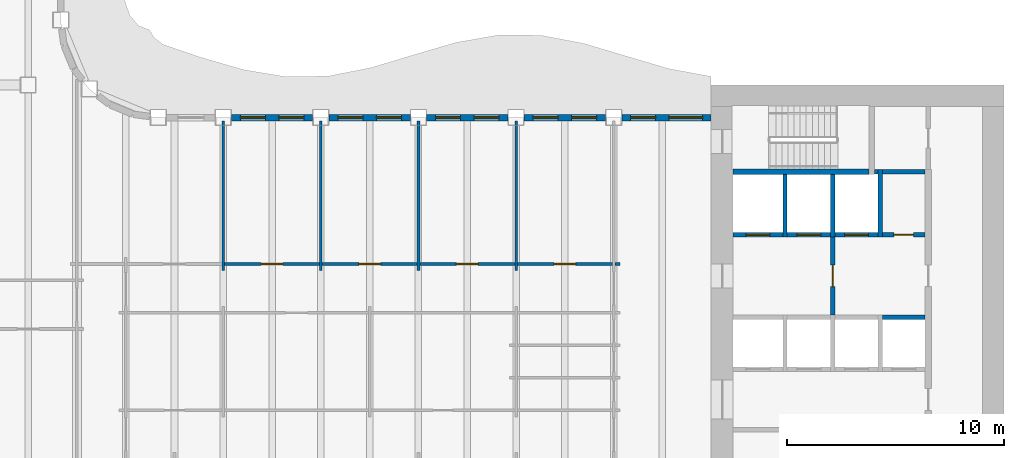
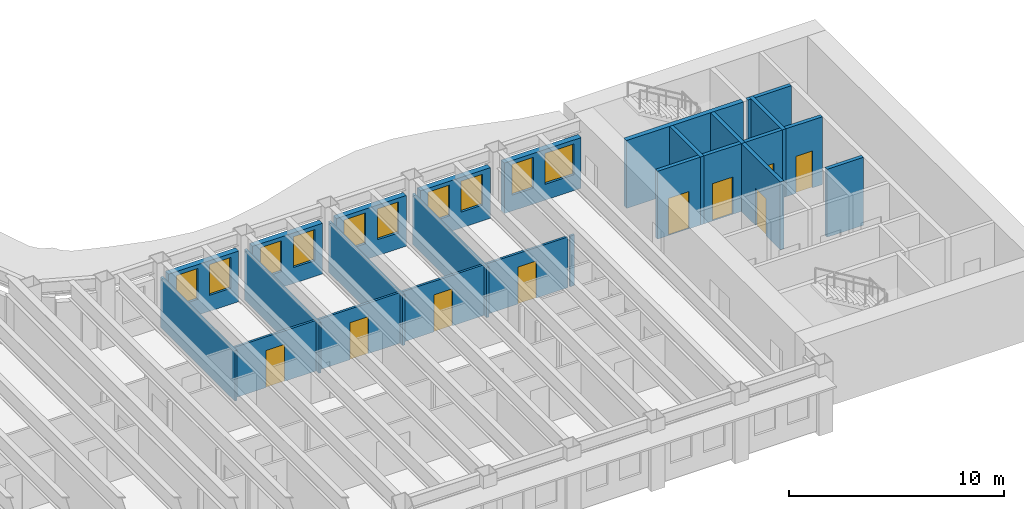
# One storey, part 7 of 16: 26 walls, 10 windows, 9 doors, 19 openings.
"""IFC4 building model written with IfcOpenShell, lengths in metres."""

import ifcopenshell
import ifcopenshell.guid

model = None  # the IFC model being written
_history = None  # IfcOwnerHistory: only IFC2X3 demands one
_inside = {}  # id of a spatial element -> (the spatial element, [elements in it])
_under = {}  # id of a project, library or spatial element -> (it, [spatial elements below it])
_declared = {}  # id of a project -> (the project, [libraries it declares])
_typed = {}  # id of a type object -> (the type object, [elements of that type])
_made_of = {}  # id of a material, layer set ... -> (it, [elements and type objects made of it])


def new_model(schema):
    """Start an empty IFC model of exactly this schema.

    Asked for "IFC4X3", IfcOpenShell would pick the latest addendum, in which some entities
    have other attributes; the version numbers below select the first issue.
    IFC2X3 requires an IfcOwnerHistory on every rooted entity: one is made here for all.
    """
    global model, _history
    if schema == "IFC4X3":
        model = ifcopenshell.file(schema_version=(4, 3, 0, 0))
    else:
        model = ifcopenshell.file(schema=schema)
    _inside.clear()
    _under.clear()
    _declared.clear()
    _typed.clear()
    _made_of.clear()
    _history = None
    if model.schema == "IFC2X3":
        org = make("IfcOrganization", Name="unknown")
        user = make(
            "IfcPersonAndOrganization",
            ThePerson=make("IfcPerson", FamilyName="unknown"),
            TheOrganization=org,
        )
        app = make(
            "IfcApplication",
            ApplicationDeveloper=org,
            Version="unknown",
            ApplicationFullName="unknown",
            ApplicationIdentifier="unknown",
        )
        _history = make(
            "IfcOwnerHistory",
            OwningUser=user,
            OwningApplication=app,
            ChangeAction="ADDED",
            CreationDate=0,
        )
    return model


def make(cls, **values):
    """One entity of the class cls with the attributes given. An attribute that is None is left unset."""
    return model.create_entity(
        cls, **{name: value for name, value in values.items() if value is not None}
    )


def rooted(cls, **values):
    """An entity with a GlobalId (a new one), such as an element, a storey or a relation."""
    return make(cls, GlobalId=ifcopenshell.guid.new(), OwnerHistory=_history, **values)


def si_unit(unit_type, name, prefix=None):
    """IfcSIUnit, for example si_unit("LENGTHUNIT", "METRE", prefix="MILLI")."""
    return make("IfcSIUnit", UnitType=unit_type, Prefix=prefix, Name=name)


def assignment(units):
    """IfcUnitAssignment: the units of a project."""
    return None if units is None else make("IfcUnitAssignment", Units=units)


def point(xyz):
    """IfcCartesianPoint."""
    return None if xyz is None else make("IfcCartesianPoint", Coordinates=xyz)


def direction(xyz):
    """IfcDirection."""
    return None if xyz is None else make("IfcDirection", DirectionRatios=xyz)


def frame(location, z_axis=None, x_axis=None):
    """IfcAxis2Placement3D, a coordinate frame: its origin and axes. An axis left out is left unset."""
    return make(
        "IfcAxis2Placement3D",
        Location=point(location),
        Axis=direction(z_axis),
        RefDirection=direction(x_axis),
    )


def frame_2d(location, x_axis=None):
    """IfcAxis2Placement2D, a coordinate frame in the plane: its origin and x axis."""
    return make(
        "IfcAxis2Placement2D", Location=point(location), RefDirection=direction(x_axis)
    )


def origin():
    """The frame at (0, 0, 0) with its axes left unset."""
    return frame((0.0, 0.0, 0.0))


def place(relative_to, where):
    """IfcLocalPlacement: puts the frame where relative to a parent placement (None: the world)."""
    return make(
        "IfcLocalPlacement", PlacementRelTo=relative_to, RelativePlacement=where
    )


def context(
    kind, dimensions, precision=None, world=None, true_north=None, identifier=None
):
    """IfcGeometricRepresentationContext, for example the 3D "Model" context."""
    return make(
        "IfcGeometricRepresentationContext",
        ContextIdentifier=identifier,
        ContextType=kind,
        CoordinateSpaceDimension=dimensions,
        Precision=precision,
        WorldCoordinateSystem=world,
        TrueNorth=true_north,
    )


def subcontext(parent, identifier, kind, view, scale=None):
    """IfcGeometricRepresentationSubContext, for example "Body" below "Model"."""
    return make(
        "IfcGeometricRepresentationSubContext",
        ContextIdentifier=identifier,
        ContextType=kind,
        ParentContext=parent,
        TargetScale=scale,
        TargetView=view,
    )


def project(units=None, contexts=None):
    """IfcProject with its units and contexts."""
    return rooted(
        "IfcProject",
        Name="project",
        RepresentationContexts=contexts,
        UnitsInContext=assignment(units),
    )


def spatial(cls, under=None, at=None, **own):
    """A site, building, storey or space (cls), placed at a placement, below another one or the project."""
    s = rooted(cls, ObjectPlacement=at, **own)
    if under is not None:
        _under.setdefault(under.id(), (under, []))[1].append(s)
    return s


def profile(cls, at=None, kind="AREA", **sizes):
    """A parametric profile (cls). Its sizes go by their IFC names, for example OverallWidth=200.0."""
    return make(cls, ProfileType=kind, Position=at, **sizes)


def rectangle(**sizes):
    """IfcRectangleProfileDef."""
    return profile("IfcRectangleProfileDef", **sizes)


def extrude(swept, where, along, depth):
    """IfcExtrudedAreaSolid: the profile swept, set in the frame where, extruded along a direction by depth."""
    return make(
        "IfcExtrudedAreaSolid",
        SweptArea=swept,
        Position=where,
        ExtrudedDirection=direction(along),
        Depth=depth,
    )


def shape(context_of_items, identifier, shape_type, items):
    """IfcShapeRepresentation: the items that make up one representation, for example the "Body"."""
    return make(
        "IfcShapeRepresentation",
        ContextOfItems=context_of_items,
        RepresentationIdentifier=identifier,
        RepresentationType=shape_type,
        Items=items,
    )


def material(Name=None, Category=None):
    """IfcMaterial."""
    return make("IfcMaterial", Name=Name, Category=Category)


def layer(
    of_material, thickness, ventilated=None, Name=None, Category=None, Priority=None
):
    """IfcMaterialLayer: one layer of a wall or slab, of a material (None: an air gap)."""
    return make(
        "IfcMaterialLayer",
        Material=of_material,
        LayerThickness=thickness,
        IsVentilated=ventilated,
        Name=Name,
        Category=Category,
        Priority=Priority,
    )


def layer_set(layers, Name=None):
    """IfcMaterialLayerSet."""
    return make("IfcMaterialLayerSet", MaterialLayers=layers, LayerSetName=Name)


def made_of(thing, what):
    """Note that an element or type object is made of a material, layer set ...; save() writes the relation."""
    if what is not None:
        _made_of.setdefault(what.id(), (what, []))[1].append(thing)
    return thing


def type_object(cls, material=None, **own):
    """A type object (cls), such as IfcWallType, which elements share."""
    return made_of(rooted(cls, **own), material)


def element(
    cls,
    number,
    at=None,
    inside=None,
    cuts=None,
    type_object=None,
    material=None,
    context=None,
    identifier="Body",
    shape_type=None,
    held_by="IfcProductDefinitionShape",
    body=None,
    shapes=None,
    **own,
):
    """One element of the class cls, such as IfcWall. Its Tag is "e" and its number.

    at: its placement. inside: the storey or other place that contains it. cuts: it is an
    opening in that element (IfcRelVoidsElement). A single representation is given by context,
    identifier, shape_type and body (its items); several are given by shapes. held_by: the class
    of the entity that holds the representations. save() writes the other relations.
    """
    e = rooted(cls, Tag="e%d" % number, ObjectPlacement=at, **own)
    if body is not None:
        shapes = [shape(context, identifier, shape_type, body)]
    if shapes is not None:
        e.Representation = make(held_by, Representations=shapes)
    if inside is not None:
        _inside.setdefault(inside.id(), (inside, []))[1].append(e)
    if cuts is not None:
        rooted(
            "IfcRelVoidsElement", RelatingBuildingElement=cuts, RelatedOpeningElement=e
        )
    if type_object is not None:
        _typed.setdefault(type_object.id(), (type_object, []))[1].append(e)
    return made_of(e, material)


def fill(opening, filler):
    """IfcRelFillsElement: the door or window that sits in an opening."""
    return rooted(
        "IfcRelFillsElement",
        RelatingOpeningElement=opening,
        RelatedBuildingElement=filler,
    )


def aggregate(whole, parts):
    """IfcRelAggregates: a whole, such as a stair, and the parts it consists of."""
    return rooted("IfcRelAggregates", RelatingObject=whole, RelatedObjects=parts)


def save(model, path):
    """Write the relations noted so far, then the file.

    IfcRelAggregates (storeys below a building ...), IfcRelContainedInSpatialStructure (elements
    in a storey), IfcRelDefinesByType, IfcRelAssociatesMaterial and IfcRelDeclares: one each for
    every whole, place, type object, material and project.
    """
    for whole, parts in _under.values():
        aggregate(whole, parts)
    for where, things in _inside.values():
        rooted(
            "IfcRelContainedInSpatialStructure",
            RelatedElements=things,
            RelatingStructure=where,
        )
    for kind, things in _typed.values():
        rooted("IfcRelDefinesByType", RelatedObjects=things, RelatingType=kind)
    for what, things in _made_of.values():
        rooted("IfcRelAssociatesMaterial", RelatedObjects=things, RelatingMaterial=what)
    for by, libraries in _declared.values():
        rooted("IfcRelDeclares", RelatingContext=by, RelatedDefinitions=libraries)
    model.write(path)


model = new_model("IFC4")

# Units and contexts
model_context = context("Model", 3, precision=1e-05, world=origin(), true_north=direction((0.0, 1.0)))
body_context = subcontext(model_context, "Body", "Model", "MODEL_VIEW")
ifc_project = project(units=[si_unit("LENGTHUNIT", "METRE"), si_unit("AREAUNIT", "SQUARE_METRE"), si_unit("VOLUMEUNIT", "CUBIC_METRE"), si_unit("PLANEANGLEUNIT", "RADIAN"), si_unit("MASSUNIT", "GRAM", prefix="KILO")], contexts=[model_context])

# Site, building, storey
site_placement = place(None, origin())
site = spatial("IfcSite", under=ifc_project, at=site_placement, CompositionType="ELEMENT")
building_placement = place(site_placement, origin())
building = spatial("IfcBuilding", under=site, at=building_placement, Name="Sennacour Bend Tower", CompositionType="ELEMENT")
storey_placement = place(building_placement, frame((0.0, 0.0, 235.0)))
storey = spatial("IfcBuildingStorey", under=building, at=storey_placement, Name="L54", CompositionType="ELEMENT", Elevation=235.0)

# Walls
ifc_material_1 = material(Name="Plasterboard partition on steel studs", Category="steel")
ifc_layer_1 = layer(ifc_material_1, 0.1201171875, Name="Plasterboard partition on steel studs", Category="steel")
ifc_layer_set_1 = layer_set([ifc_layer_1], Name="Plasterboard partition on steel studs")
wall_type_1 = type_object("IfcWallType", Name="Partition 120", PredefinedType="PARTITIONING", material=ifc_layer_set_1)
for number, where, z_axis, x_axis, name in (
    (1, (31.5, 13.949951171875, 0.0), (0.0, 0.0, 1.0), (0.0, 1.0, 0.0), "P-L54-W027a"),
    (2, (36.0, 13.949951171875, 0.0), (0.0, 0.0, 1.0), (0.0, 1.0, 0.0), "P-L54-W028a"),
    (3, (40.5, 13.949951171875, 0.0), (0.0, 0.0, 1.0), (0.0, 1.0, 0.0), "P-L54-W031a"),
    (4, (45.0, 13.949951171875, 0.0), (0.0, 0.0, 1.0), (0.0, 1.0, 0.0), "P-L54-W034a"),
):
    element("IfcWall", number, at=place(storey_placement, frame(where, z_axis=z_axis, x_axis=x_axis)), inside=storey, type_object=wall_type_1, Name=name, PredefinedType="PARTITIONING", context=body_context, shape_type="SweptSolid", body=[
        extrude(rectangle(XDim=6.900146484375, YDim=0.1201171875, at=frame_2d((3.4501953125, 0.0))), origin(), (0.0, 0.0, 1.0), 2.8701171875),
    ])

# Wall, opening, door
wall_1_placement = place(storey_placement, frame((31.56005859375, 14.25, 0.0), z_axis=(0.0, 0.0, 1.0), x_axis=(1.0, 0.0, 0.0)))
wall_1 = element("IfcWall", 5, at=wall_1_placement, inside=storey, type_object=wall_type_1, Name="P-L54-W066ad", PredefinedType="PARTITIONING", context=body_context, shape_type="SweptSolid", body=[
    extrude(rectangle(XDim=4.3798828125, YDim=0.1201171875, at=frame_2d((2.18994140625, 0.0))), origin(), (0.0, 0.0, 1.0), 2.8701171875),
])
opening_1_placement = place(wall_1_placement, frame((1.68994140625, 0.0, 0.0)))
opening_1 = element("IfcOpeningElement", 6, at=opening_1_placement, cuts=wall_1, Name="Opening OD2", PredefinedType="OPENING", context=body_context, shape_type="SweptSolid", body=[
    extrude(rectangle(XDim=1.0, YDim=2.10009765625, at=frame_2d((0.5, 1.050048828125))), frame((0.0, 0.070068359375, 0.0), z_axis=(0.0, -1.0, 0.0), x_axis=(1.0, 0.0, 0.0)), (0.0, 0.0, 1.0), 0.14013671875),
])
ifc_material_2 = material(Name="Timber", Category="wood")
door_type_1 = type_object("IfcDoorType", Name="DR-OFFICE-1000", OperationType="NOTDEFINED", PredefinedType="DOOR", material=ifc_material_2)
door_1_placement = place(opening_1_placement, origin())
door_1 = element("IfcDoor", 7, at=door_1_placement, inside=storey, type_object=door_type_1, Name="Door", OperationType="SINGLE_SWING_LEFT", OverallHeight=2.10009765625, OverallWidth=1.0, PredefinedType="DOOR", context=body_context, shape_type="SweptSolid", body=[
    extrude(rectangle(XDim=1.0, YDim=2.10009765625, at=frame_2d((0.5, 1.050048828125))), frame((0.0, 0.02490234375, 0.0), z_axis=(0.0, -1.0, 0.0), x_axis=(1.0, 0.0, 0.0)), (0.0, 0.0, 1.0), 0.050048828125),
])
fill(opening_1, door_1)

wall_2_placement = place(storey_placement, frame((36.06005859375, 14.25, 0.0), z_axis=(0.0, 0.0, 1.0), x_axis=(1.0, 0.0, 0.0)))
wall_2 = element("IfcWall", 8, at=wall_2_placement, inside=storey, type_object=wall_type_1, Name="P-L54-W066ae", PredefinedType="PARTITIONING", context=body_context, shape_type="SweptSolid", body=[
    extrude(rectangle(XDim=4.3798828125, YDim=0.1201171875, at=frame_2d((2.18994140625, 0.0))), origin(), (0.0, 0.0, 1.0), 2.8701171875),
])
opening_2_placement = place(wall_2_placement, frame((1.68994140625, 0.0, 0.0)))
opening_2 = element("IfcOpeningElement", 9, at=opening_2_placement, cuts=wall_2, Name="Opening MD2", PredefinedType="OPENING", context=body_context, shape_type="SweptSolid", body=[
    extrude(rectangle(XDim=1.0, YDim=2.10009765625, at=frame_2d((0.5, 1.050048828125))), frame((0.0, 0.070068359375, 0.0), z_axis=(0.0, -1.0, 0.0), x_axis=(1.0, 0.0, 0.0)), (0.0, 0.0, 1.0), 0.14013671875),
])
door_type_2 = type_object("IfcDoorType", Name="DR-MEETING-1000", OperationType="NOTDEFINED", PredefinedType="DOOR", material=ifc_material_2)
door_2_placement = place(opening_2_placement, origin())
door_2 = element("IfcDoor", 10, at=door_2_placement, inside=storey, type_object=door_type_2, Name="Door", OperationType="SINGLE_SWING_LEFT", OverallHeight=2.10009765625, OverallWidth=1.0, PredefinedType="DOOR", context=body_context, shape_type="SweptSolid", body=[
    extrude(rectangle(XDim=1.0, YDim=2.10009765625, at=frame_2d((0.5, 1.050048828125))), frame((0.0, 0.02490234375, 0.0), z_axis=(0.0, -1.0, 0.0), x_axis=(1.0, 0.0, 0.0)), (0.0, 0.0, 1.0), 0.050048828125),
])
fill(opening_2, door_2)

wall_3_placement = place(storey_placement, frame((40.56005859375, 14.25, 0.0), z_axis=(0.0, 0.0, 1.0), x_axis=(1.0, 0.0, 0.0)))
wall_3 = element("IfcWall", 11, at=wall_3_placement, inside=storey, type_object=wall_type_1, Name="P-L54-W066af", PredefinedType="PARTITIONING", context=body_context, shape_type="SweptSolid", body=[
    extrude(rectangle(XDim=4.3798828125, YDim=0.1201171875, at=frame_2d((2.18994140625, 0.0))), origin(), (0.0, 0.0, 1.0), 2.8701171875),
])
opening_3_placement = place(wall_3_placement, frame((1.68994140625, 0.0, 0.0)))
opening_3 = element("IfcOpeningElement", 12, at=opening_3_placement, cuts=wall_3, Name="Opening OD2", PredefinedType="OPENING", context=body_context, shape_type="SweptSolid", body=[
    extrude(rectangle(XDim=1.0, YDim=2.10009765625, at=frame_2d((0.5, 1.050048828125))), frame((0.0, 0.070068359375, 0.0), z_axis=(0.0, -1.0, 0.0), x_axis=(1.0, 0.0, 0.0)), (0.0, 0.0, 1.0), 0.14013671875),
])
door_3_placement = place(opening_3_placement, origin())
door_3 = element("IfcDoor", 13, at=door_3_placement, inside=storey, type_object=door_type_1, Name="Door", OperationType="SINGLE_SWING_LEFT", OverallHeight=2.10009765625, OverallWidth=1.0, PredefinedType="DOOR", context=body_context, shape_type="SweptSolid", body=[
    extrude(rectangle(XDim=1.0, YDim=2.10009765625, at=frame_2d((0.5, 1.050048828125))), frame((0.0, 0.02490234375, 0.0), z_axis=(0.0, -1.0, 0.0), x_axis=(1.0, 0.0, 0.0)), (0.0, 0.0, 1.0), 0.050048828125),
])
fill(opening_3, door_3)

wall_4_placement = place(storey_placement, frame((45.06005859375, 14.25, 0.0), z_axis=(0.0, 0.0, 1.0), x_axis=(1.0, 0.0, 0.0)))
wall_4 = element("IfcWall", 14, at=wall_4_placement, inside=storey, type_object=wall_type_1, Name="P-L54-W066ag", PredefinedType="PARTITIONING", context=body_context, shape_type="SweptSolid", body=[
    extrude(rectangle(XDim=4.3798828125, YDim=0.1201171875, at=frame_2d((2.18994140625, 0.0))), origin(), (0.0, 0.0, 1.0), 2.8701171875),
])
opening_4_placement = place(wall_4_placement, frame((1.68994140625, 0.0, 0.0)))
opening_4 = element("IfcOpeningElement", 15, at=opening_4_placement, cuts=wall_4, Name="Opening OD2", PredefinedType="OPENING", context=body_context, shape_type="SweptSolid", body=[
    extrude(rectangle(XDim=1.0, YDim=2.10009765625, at=frame_2d((0.5, 1.050048828125))), frame((0.0, 0.070068359375, 0.0), z_axis=(0.0, -1.0, 0.0), x_axis=(1.0, 0.0, 0.0)), (0.0, 0.0, 1.0), 0.14013671875),
])
door_4_placement = place(opening_4_placement, origin())
door_4 = element("IfcDoor", 16, at=door_4_placement, inside=storey, type_object=door_type_1, Name="Door", OperationType="SINGLE_SWING_LEFT", OverallHeight=2.10009765625, OverallWidth=1.0, PredefinedType="DOOR", context=body_context, shape_type="SweptSolid", body=[
    extrude(rectangle(XDim=1.0, YDim=2.10009765625, at=frame_2d((0.5, 1.050048828125))), frame((0.0, 0.02490234375, 0.0), z_axis=(0.0, -1.0, 0.0), x_axis=(1.0, 0.0, 0.0)), (0.0, 0.0, 1.0), 0.050048828125),
])
fill(opening_4, door_4)

# Wall
wall_5_placement = place(storey_placement, frame((49.56005859375, 14.25, 0.0), z_axis=(0.0, 0.0, 1.0), x_axis=(1.0, 0.0, 0.0)))
element("IfcWall", 17, at=wall_5_placement, inside=storey, type_object=wall_type_1, Name="P-L54-W066ah", PredefinedType="PARTITIONING", context=body_context, shape_type="SweptSolid", body=[
    extrude(rectangle(XDim=0.239990234375, YDim=0.1201171875, at=frame_2d((0.1201171875, 0.0))), origin(), (0.0, 0.0, 1.0), 2.8701171875),
])

# Wall, opening, door
ifc_material_3 = material(Name="Fire-rated plasterboard partition on steel studs", Category="steel")
ifc_layer_2 = layer(ifc_material_3, 0.199951171875, Name="Fire-rated plasterboard partition on steel studs", Category="steel")
ifc_layer_set_2 = layer_set([ifc_layer_2], Name="Fire-rated plasterboard partition on steel studs")
wall_type_2 = type_object("IfcWallType", Name="Rated partition 200", PredefinedType="PARTITIONING", material=ifc_layer_set_2)
wall_6_placement = place(storey_placement, frame((61.89990234375, 15.60009765625, 0.0), z_axis=(0.0, 0.0, 1.0), x_axis=(1.0, 0.0, 0.0)))
wall_6 = element("IfcWall", 18, at=wall_6_placement, inside=storey, type_object=wall_type_2, Name="P-L54-W068", PredefinedType="PARTITIONING", context=body_context, shape_type="SweptSolid", body=[
    extrude(rectangle(XDim=1.9501953125, YDim=0.199951171875, at=frame_2d((0.97509765625, 0.0))), origin(), (0.0, 0.0, 1.0), 3.85009765625),
])
opening_5_placement = place(wall_6_placement, frame((0.525146484375, 0.0, 0.0)))
opening_5 = element("IfcOpeningElement", 19, at=opening_5_placement, cuts=wall_6, Name="Opening SV", PredefinedType="OPENING", context=body_context, shape_type="SweptSolid", body=[
    extrude(rectangle(XDim=0.89990234375, YDim=2.10009765625, at=frame_2d((0.449951171875, 1.050048828125))), frame((0.0, 0.10986328125, 0.0), z_axis=(0.0, -1.0, 0.0), x_axis=(1.0, 0.0, 0.0)), (0.0, 0.0, 1.0), 0.219970703125),
])
ifc_material_4 = material(Name="Painted steel", Category="steel")
door_type_3 = type_object("IfcDoorType", Name="DR-SERVICE-900", OperationType="NOTDEFINED", PredefinedType="DOOR", material=ifc_material_4)
door_5_placement = place(opening_5_placement, origin())
door_5 = element("IfcDoor", 20, at=door_5_placement, inside=storey, type_object=door_type_3, Name="Door", OperationType="SINGLE_SWING_LEFT", OverallHeight=2.10009765625, OverallWidth=0.89990234375, PredefinedType="DOOR", context=body_context, shape_type="SweptSolid", body=[
    extrude(rectangle(XDim=0.89990234375, YDim=2.10009765625, at=frame_2d((0.449951171875, 1.050048828125))), frame((0.0, 0.02490234375, 0.0), z_axis=(0.0, -1.0, 0.0), x_axis=(1.0, 0.0, 0.0)), (0.0, 0.0, 1.0), 0.050048828125),
])
fill(opening_5, door_5)

# Wall
wall_7_placement = place(storey_placement, frame((61.89990234375, 18.5, 0.0), z_axis=(0.0, 0.0, 1.0), x_axis=(1.0, 0.0, 0.0)))
element("IfcWall", 21, at=wall_7_placement, inside=storey, type_object=wall_type_2, Name="P-L54-W071", PredefinedType="PARTITIONING", context=body_context, shape_type="SweptSolid", body=[
    extrude(rectangle(XDim=1.9501953125, YDim=0.199951171875, at=frame_2d((0.97509765625, 0.0))), origin(), (0.0, 0.0, 1.0), 3.85009765625),
])

# Wall, opening, door
ifc_layer_3 = layer(ifc_material_3, 0.199951171875, Name="Fire-rated plasterboard partition on steel studs", Category="steel")
ifc_layer_set_3 = layer_set([ifc_layer_3], Name="Fire-rated plasterboard partition on steel studs")
wall_type_3 = type_object("IfcWallType", Name="Rated partition 200 EI 90", PredefinedType="PARTITIONING", material=ifc_layer_set_3)
wall_8_placement = place(storey_placement, frame((59.60009765625, 11.89990234375, 0.0), z_axis=(0.0, 0.0, 1.0), x_axis=(0.0, 1.0, 0.0)))
wall_8 = element("IfcWall", 22, at=wall_8_placement, inside=storey, type_object=wall_type_3, Name="P-L54-W040", PredefinedType="PARTITIONING", context=body_context, shape_type="SweptSolid", body=[
    extrude(rectangle(XDim=3.60009765625, YDim=0.199951171875, at=frame_2d((1.800048828125, 0.0))), origin(), (0.0, 0.0, 1.0), 3.85009765625),
])
opening_6_placement = place(wall_8_placement, frame((1.300048828125, 0.0, 0.0)))
opening_6 = element("IfcOpeningElement", 23, at=opening_6_placement, cuts=wall_8, Name="Opening FD2", PredefinedType="OPENING", context=body_context, shape_type="SweptSolid", body=[
    extrude(rectangle(XDim=1.0, YDim=2.10009765625, at=frame_2d((0.5, 1.050048828125))), frame((0.0, 0.10986328125, 0.0), z_axis=(0.0, -1.0, 0.0), x_axis=(1.0, 0.0, 0.0)), (0.0, 0.0, 1.0), 0.219970703125),
])
door_type_4 = type_object("IfcDoorType", Name="DR-FFL-1000", OperationType="NOTDEFINED", PredefinedType="DOOR", material=ifc_material_4)
door_6_placement = place(opening_6_placement, origin())
door_6 = element("IfcDoor", 24, at=door_6_placement, inside=storey, type_object=door_type_4, Name="Door", OperationType="SINGLE_SWING_LEFT", OverallHeight=2.10009765625, OverallWidth=1.0, PredefinedType="DOOR", context=body_context, shape_type="SweptSolid", body=[
    extrude(rectangle(XDim=1.0, YDim=2.10009765625, at=frame_2d((0.5, 1.050048828125))), frame((0.0, 0.02490234375, 0.0), z_axis=(0.0, -1.0, 0.0), x_axis=(1.0, 0.0, 0.0)), (0.0, 0.0, 1.0), 0.050048828125),
])
fill(opening_6, door_6)

# Wall, openings, windows
ifc_material_5 = material(Name="Warm limestone cladding", Category="masonry")
ifc_layer_4 = layer(ifc_material_5, 0.050048828125, Name="Warm limestone cladding", Category="masonry")
ifc_material_6 = material(Name="Precast concrete C40/50", Category="concrete")
ifc_layer_5 = layer(ifc_material_6, 0.25, Name="Precast concrete C40/50", Category="concrete")
ifc_layer_set_4 = layer_set([ifc_layer_4, ifc_layer_5], Name="Precast concrete C40/50 with limestone cladding")
wall_type_4 = type_object("IfcWallType", Name="STONE-CLAD PRECAST SPANDREL 300", PredefinedType="STANDARD", material=ifc_layer_set_4)
wall_9_placement = place(storey_placement, frame((54.0, 21.0, 0.0), z_axis=(0.0, 0.0, 1.0), x_axis=(-1.0, 0.0, 0.0)))
wall_9 = element("IfcWall", 25, at=wall_9_placement, inside=storey, type_object=wall_type_4, Name="Stone spandrel and pier wall L54 06.00", PredefinedType="STANDARD", context=body_context, shape_type="SweptSolid", body=[
    extrude(rectangle(XDim=4.125, YDim=0.300048828125, at=frame_2d((2.0625, 0.0))), origin(), (0.0, 0.0, 1.0), 2.8701171875),
])
opening_7_placement = place(wall_9_placement, frame((0.39990234375, 0.0, 0.89990234375)))
opening_7 = element("IfcOpeningElement", 26, at=opening_7_placement, cuts=wall_9, Name="Opening W12", PredefinedType="OPENING", context=body_context, shape_type="SweptSolid", body=[
    extrude(rectangle(XDim=1.550048828125, YDim=1.75, at=frame_2d((0.77490234375, 0.875))), frame((0.0, 0.16015625, 0.0), z_axis=(0.0, -1.0, 0.0), x_axis=(1.0, 0.0, 0.0)), (0.0, 0.0, 1.0), 0.320068359375),
])
opening_8_placement = place(wall_9_placement, frame((2.5625, 0.0, 0.89990234375)))
opening_8 = element("IfcOpeningElement", 27, at=opening_8_placement, cuts=wall_9, Name="Opening W23", PredefinedType="OPENING", context=body_context, shape_type="SweptSolid", body=[
    extrude(rectangle(XDim=1.14990234375, YDim=1.75, at=frame_2d((0.574951171875, 0.875))), frame((0.0, 0.16015625, 0.0), z_axis=(0.0, -1.0, 0.0), x_axis=(1.0, 0.0, 0.0)), (0.0, 0.0, 1.0), 0.320068359375),
])
ifc_material_7 = material(Name="Clear low-emissivity glass", Category="glass")
window_type_1 = type_object("IfcWindowType", Name="WIN-RIBBON-1150x1750", PartitioningType="SINGLE_PANEL", PredefinedType="WINDOW", material=ifc_material_7)
window_1_placement = place(opening_8_placement, origin())
window_1 = element("IfcWindow", 28, at=window_1_placement, inside=storey, type_object=window_type_1, Name="Ribbon window L54 06.00.1", OverallHeight=1.75, OverallWidth=1.14990234375, PartitioningType="SINGLE_PANEL", PredefinedType="WINDOW", context=body_context, shape_type="SweptSolid", body=[
    extrude(rectangle(XDim=1.14990234375, YDim=1.75, at=frame_2d((0.574951171875, 0.875))), frame((0.0, 0.030029296875, 0.0), z_axis=(0.0, -1.0, 0.0), x_axis=(1.0, 0.0, 0.0)), (0.0, 0.0, 1.0), 0.06005859375),
])
fill(opening_8, window_1)
window_type_2 = type_object("IfcWindowType", Name="WIN-RIBBON-1550x1750", PartitioningType="SINGLE_PANEL", PredefinedType="WINDOW", material=ifc_material_7)
window_2_placement = place(opening_7_placement, origin())
window_2 = element("IfcWindow", 29, at=window_2_placement, inside=storey, type_object=window_type_2, Name="Ribbon window L54 06.00.0", OverallHeight=1.75, OverallWidth=1.550048828125, PartitioningType="SINGLE_PANEL", PredefinedType="WINDOW", context=body_context, shape_type="SweptSolid", body=[
    extrude(rectangle(XDim=1.550048828125, YDim=1.75, at=frame_2d((0.77490234375, 0.875))), frame((0.0, 0.030029296875, 0.0), z_axis=(0.0, -1.0, 0.0), x_axis=(1.0, 0.0, 0.0)), (0.0, 0.0, 1.0), 0.06005859375),
])
fill(opening_7, window_2)

wall_10_placement = place(storey_placement, frame((49.125, 21.0, 0.0), z_axis=(0.0, 0.0, 1.0), x_axis=(-1.0, 0.0, 0.0)))
wall_10 = element("IfcWall", 30, at=wall_10_placement, inside=storey, type_object=wall_type_4, Name="Stone spandrel and pier wall L54 06.01", PredefinedType="STANDARD", context=body_context, shape_type="SweptSolid", body=[
    extrude(rectangle(XDim=3.75, YDim=0.300048828125, at=frame_2d((1.875, 0.0))), origin(), (0.0, 0.0, 1.0), 2.8701171875),
])
opening_9_placement = place(wall_10_placement, frame((0.41259765625, 0.0, 0.89990234375)))
opening_9 = element("IfcOpeningElement", 31, at=opening_9_placement, cuts=wall_10, Name="Opening W23", PredefinedType="OPENING", context=body_context, shape_type="SweptSolid", body=[
    extrude(rectangle(XDim=1.14990234375, YDim=1.75, at=frame_2d((0.574951171875, 0.875))), frame((0.0, 0.16015625, 0.0), z_axis=(0.0, -1.0, 0.0), x_axis=(1.0, 0.0, 0.0)), (0.0, 0.0, 1.0), 0.320068359375),
])
opening_10_placement = place(wall_10_placement, frame((2.1875, 0.0, 0.89990234375)))
opening_10 = element("IfcOpeningElement", 32, at=opening_10_placement, cuts=wall_10, Name="Opening W23", PredefinedType="OPENING", context=body_context, shape_type="SweptSolid", body=[
    extrude(rectangle(XDim=1.14990234375, YDim=1.75, at=frame_2d((0.574951171875, 0.875))), frame((0.0, 0.16015625, 0.0), z_axis=(0.0, -1.0, 0.0), x_axis=(1.0, 0.0, 0.0)), (0.0, 0.0, 1.0), 0.320068359375),
])
window_3_placement = place(opening_9_placement, origin())
window_3 = element("IfcWindow", 33, at=window_3_placement, inside=storey, type_object=window_type_1, Name="Ribbon window L54 06.01.0", OverallHeight=1.75, OverallWidth=1.14990234375, PartitioningType="SINGLE_PANEL", PredefinedType="WINDOW", context=body_context, shape_type="SweptSolid", body=[
    extrude(rectangle(XDim=1.14990234375, YDim=1.75, at=frame_2d((0.574951171875, 0.875))), frame((0.0, 0.030029296875, 0.0), z_axis=(0.0, -1.0, 0.0), x_axis=(1.0, 0.0, 0.0)), (0.0, 0.0, 1.0), 0.06005859375),
])
fill(opening_9, window_3)
window_4_placement = place(opening_10_placement, origin())
window_4 = element("IfcWindow", 34, at=window_4_placement, inside=storey, type_object=window_type_1, Name="Ribbon window L54 06.01.1", OverallHeight=1.75, OverallWidth=1.14990234375, PartitioningType="SINGLE_PANEL", PredefinedType="WINDOW", context=body_context, shape_type="SweptSolid", body=[
    extrude(rectangle(XDim=1.14990234375, YDim=1.75, at=frame_2d((0.574951171875, 0.875))), frame((0.0, 0.030029296875, 0.0), z_axis=(0.0, -1.0, 0.0), x_axis=(1.0, 0.0, 0.0)), (0.0, 0.0, 1.0), 0.06005859375),
])
fill(opening_10, window_4)

wall_11_placement = place(storey_placement, frame((44.625, 21.0, 0.0), z_axis=(0.0, 0.0, 1.0), x_axis=(-1.0, 0.0, 0.0)))
wall_11 = element("IfcWall", 35, at=wall_11_placement, inside=storey, type_object=wall_type_4, Name="Stone spandrel and pier wall L54 06.02", PredefinedType="STANDARD", context=body_context, shape_type="SweptSolid", body=[
    extrude(rectangle(XDim=3.75, YDim=0.300048828125, at=frame_2d((1.875, 0.0))), origin(), (0.0, 0.0, 1.0), 2.8701171875),
])
opening_11_placement = place(wall_11_placement, frame((0.41259765625, 0.0, 0.89990234375)))
opening_11 = element("IfcOpeningElement", 36, at=opening_11_placement, cuts=wall_11, Name="Opening W23", PredefinedType="OPENING", context=body_context, shape_type="SweptSolid", body=[
    extrude(rectangle(XDim=1.14990234375, YDim=1.75, at=frame_2d((0.574951171875, 0.875))), frame((0.0, 0.16015625, 0.0), z_axis=(0.0, -1.0, 0.0), x_axis=(1.0, 0.0, 0.0)), (0.0, 0.0, 1.0), 0.320068359375),
])
opening_12_placement = place(wall_11_placement, frame((2.1875, 0.0, 0.89990234375)))
opening_12 = element("IfcOpeningElement", 37, at=opening_12_placement, cuts=wall_11, Name="Opening W23", PredefinedType="OPENING", context=body_context, shape_type="SweptSolid", body=[
    extrude(rectangle(XDim=1.14990234375, YDim=1.75, at=frame_2d((0.574951171875, 0.875))), frame((0.0, 0.16015625, 0.0), z_axis=(0.0, -1.0, 0.0), x_axis=(1.0, 0.0, 0.0)), (0.0, 0.0, 1.0), 0.320068359375),
])
window_5_placement = place(opening_11_placement, origin())
window_5 = element("IfcWindow", 38, at=window_5_placement, inside=storey, type_object=window_type_1, Name="Ribbon window L54 06.02.0", OverallHeight=1.75, OverallWidth=1.14990234375, PartitioningType="SINGLE_PANEL", PredefinedType="WINDOW", context=body_context, shape_type="SweptSolid", body=[
    extrude(rectangle(XDim=1.14990234375, YDim=1.75, at=frame_2d((0.574951171875, 0.875))), frame((0.0, 0.030029296875, 0.0), z_axis=(0.0, -1.0, 0.0), x_axis=(1.0, 0.0, 0.0)), (0.0, 0.0, 1.0), 0.06005859375),
])
fill(opening_11, window_5)
window_6_placement = place(opening_12_placement, origin())
window_6 = element("IfcWindow", 39, at=window_6_placement, inside=storey, type_object=window_type_1, Name="Ribbon window L54 06.02.1", OverallHeight=1.75, OverallWidth=1.14990234375, PartitioningType="SINGLE_PANEL", PredefinedType="WINDOW", context=body_context, shape_type="SweptSolid", body=[
    extrude(rectangle(XDim=1.14990234375, YDim=1.75, at=frame_2d((0.574951171875, 0.875))), frame((0.0, 0.030029296875, 0.0), z_axis=(0.0, -1.0, 0.0), x_axis=(1.0, 0.0, 0.0)), (0.0, 0.0, 1.0), 0.06005859375),
])
fill(opening_12, window_6)

wall_12_placement = place(storey_placement, frame((40.125, 21.0, 0.0), z_axis=(0.0, 0.0, 1.0), x_axis=(-1.0, 0.0, 0.0)))
wall_12 = element("IfcWall", 40, at=wall_12_placement, inside=storey, type_object=wall_type_4, Name="Stone spandrel and pier wall L54 06.03", PredefinedType="STANDARD", context=body_context, shape_type="SweptSolid", body=[
    extrude(rectangle(XDim=3.75, YDim=0.300048828125, at=frame_2d((1.875, 0.0))), origin(), (0.0, 0.0, 1.0), 2.8701171875),
])
opening_13_placement = place(wall_12_placement, frame((0.41259765625, 0.0, 0.89990234375)))
opening_13 = element("IfcOpeningElement", 41, at=opening_13_placement, cuts=wall_12, Name="Opening W23", PredefinedType="OPENING", context=body_context, shape_type="SweptSolid", body=[
    extrude(rectangle(XDim=1.14990234375, YDim=1.75, at=frame_2d((0.574951171875, 0.875))), frame((0.0, 0.16015625, 0.0), z_axis=(0.0, -1.0, 0.0), x_axis=(1.0, 0.0, 0.0)), (0.0, 0.0, 1.0), 0.320068359375),
])
opening_14_placement = place(wall_12_placement, frame((2.1875, 0.0, 0.89990234375)))
opening_14 = element("IfcOpeningElement", 42, at=opening_14_placement, cuts=wall_12, Name="Opening W23", PredefinedType="OPENING", context=body_context, shape_type="SweptSolid", body=[
    extrude(rectangle(XDim=1.14990234375, YDim=1.75, at=frame_2d((0.574951171875, 0.875))), frame((0.0, 0.16015625, 0.0), z_axis=(0.0, -1.0, 0.0), x_axis=(1.0, 0.0, 0.0)), (0.0, 0.0, 1.0), 0.320068359375),
])
window_7_placement = place(opening_13_placement, origin())
window_7 = element("IfcWindow", 43, at=window_7_placement, inside=storey, type_object=window_type_1, Name="Ribbon window L54 06.03.0", OverallHeight=1.75, OverallWidth=1.14990234375, PartitioningType="SINGLE_PANEL", PredefinedType="WINDOW", context=body_context, shape_type="SweptSolid", body=[
    extrude(rectangle(XDim=1.14990234375, YDim=1.75, at=frame_2d((0.574951171875, 0.875))), frame((0.0, 0.030029296875, 0.0), z_axis=(0.0, -1.0, 0.0), x_axis=(1.0, 0.0, 0.0)), (0.0, 0.0, 1.0), 0.06005859375),
])
fill(opening_13, window_7)
window_8_placement = place(opening_14_placement, origin())
window_8 = element("IfcWindow", 44, at=window_8_placement, inside=storey, type_object=window_type_1, Name="Ribbon window L54 06.03.1", OverallHeight=1.75, OverallWidth=1.14990234375, PartitioningType="SINGLE_PANEL", PredefinedType="WINDOW", context=body_context, shape_type="SweptSolid", body=[
    extrude(rectangle(XDim=1.14990234375, YDim=1.75, at=frame_2d((0.574951171875, 0.875))), frame((0.0, 0.030029296875, 0.0), z_axis=(0.0, -1.0, 0.0), x_axis=(1.0, 0.0, 0.0)), (0.0, 0.0, 1.0), 0.06005859375),
])
fill(opening_14, window_8)

wall_13_placement = place(storey_placement, frame((35.625, 21.0, 0.0), z_axis=(0.0, 0.0, 1.0), x_axis=(-1.0, 0.0, 0.0)))
wall_13 = element("IfcWall", 45, at=wall_13_placement, inside=storey, type_object=wall_type_4, Name="Stone spandrel and pier wall L54 06.04", PredefinedType="STANDARD", context=body_context, shape_type="SweptSolid", body=[
    extrude(rectangle(XDim=3.75, YDim=0.300048828125, at=frame_2d((1.875, 0.0))), origin(), (0.0, 0.0, 1.0), 2.8701171875),
])
opening_15_placement = place(wall_13_placement, frame((0.41259765625, 0.0, 0.89990234375)))
opening_15 = element("IfcOpeningElement", 46, at=opening_15_placement, cuts=wall_13, Name="Opening W23", PredefinedType="OPENING", context=body_context, shape_type="SweptSolid", body=[
    extrude(rectangle(XDim=1.14990234375, YDim=1.75, at=frame_2d((0.574951171875, 0.875))), frame((0.0, 0.16015625, 0.0), z_axis=(0.0, -1.0, 0.0), x_axis=(1.0, 0.0, 0.0)), (0.0, 0.0, 1.0), 0.320068359375),
])
opening_16_placement = place(wall_13_placement, frame((2.1875, 0.0, 0.89990234375)))
opening_16 = element("IfcOpeningElement", 47, at=opening_16_placement, cuts=wall_13, Name="Opening W23", PredefinedType="OPENING", context=body_context, shape_type="SweptSolid", body=[
    extrude(rectangle(XDim=1.14990234375, YDim=1.75, at=frame_2d((0.574951171875, 0.875))), frame((0.0, 0.16015625, 0.0), z_axis=(0.0, -1.0, 0.0), x_axis=(1.0, 0.0, 0.0)), (0.0, 0.0, 1.0), 0.320068359375),
])
window_9_placement = place(opening_15_placement, origin())
window_9 = element("IfcWindow", 48, at=window_9_placement, inside=storey, type_object=window_type_1, Name="Ribbon window L54 06.04.0", OverallHeight=1.75, OverallWidth=1.14990234375, PartitioningType="SINGLE_PANEL", PredefinedType="WINDOW", context=body_context, shape_type="SweptSolid", body=[
    extrude(rectangle(XDim=1.14990234375, YDim=1.75, at=frame_2d((0.574951171875, 0.875))), frame((0.0, 0.030029296875, 0.0), z_axis=(0.0, -1.0, 0.0), x_axis=(1.0, 0.0, 0.0)), (0.0, 0.0, 1.0), 0.06005859375),
])
fill(opening_15, window_9)
window_10_placement = place(opening_16_placement, origin())
window_10 = element("IfcWindow", 49, at=window_10_placement, inside=storey, type_object=window_type_1, Name="Ribbon window L54 06.04.1", OverallHeight=1.75, OverallWidth=1.14990234375, PartitioningType="SINGLE_PANEL", PredefinedType="WINDOW", context=body_context, shape_type="SweptSolid", body=[
    extrude(rectangle(XDim=1.14990234375, YDim=1.75, at=frame_2d((0.574951171875, 0.875))), frame((0.0, 0.030029296875, 0.0), z_axis=(0.0, -1.0, 0.0), x_axis=(1.0, 0.0, 0.0)), (0.0, 0.0, 1.0), 0.06005859375),
])
fill(opening_16, window_10)

# Walls
ifc_material_8 = material(Name="Concrete C50/60", Category="concrete")
ifc_layer_6 = layer(ifc_material_8, 0.199951171875, Name="Concrete C50/60", Category="concrete")
ifc_layer_set_5 = layer_set([ifc_layer_6], Name="Concrete C50/60")
wall_type_5 = type_object("IfcWallType", Name="Shaft wall 200", PredefinedType="SOLIDWALL", material=ifc_layer_set_5)
for number, where, z_axis, x_axis, name in (
    (50, (57.39990234375, 15.5, 0.0), (0.0, 0.0, 1.0), (0.0, 1.0, 0.0), "P-L54-W038"),
    (51, (59.60009765625, 15.5, 0.0), (0.0, 0.0, 1.0), (0.0, 1.0, 0.0), "P-L54-W041"),
):
    element("IfcWall", number, at=place(storey_placement, frame(where, z_axis=z_axis, x_axis=x_axis)), inside=storey, type_object=wall_type_5, Name=name, PredefinedType="SOLIDWALL", context=body_context, shape_type="SweptSolid", body=[
        extrude(rectangle(XDim=2.875, YDim=0.199951171875, at=frame_2d((1.4375, 0.0))), origin(), (0.0, 0.0, 1.0), 3.85009765625),
    ])
wall_14_placement = place(storey_placement, frame((61.800048828125, 15.5, 0.0), z_axis=(0.0, 0.0, 1.0), x_axis=(0.0, 1.0, 0.0)))
element("IfcWall", 52, at=wall_14_placement, inside=storey, type_object=wall_type_5, Name="P-L54-W046", PredefinedType="SOLIDWALL", context=body_context, shape_type="SweptSolid", body=[
    extrude(rectangle(XDim=3.10009765625, YDim=0.199951171875, at=frame_2d((1.550048828125, 0.0))), origin(), (0.0, 0.0, 1.0), 3.85009765625),
])
wall_15_placement = place(storey_placement, frame((61.89990234375, 11.800048828125, 0.0), z_axis=(0.0, 0.0, 1.0), x_axis=(1.0, 0.0, 0.0)))
element("IfcWall", 53, at=wall_15_placement, inside=storey, type_object=wall_type_5, Name="P-L54-W063d", PredefinedType="SOLIDWALL", context=body_context, shape_type="SweptSolid", body=[
    extrude(rectangle(XDim=1.9501953125, YDim=0.199951171875, at=frame_2d((0.97509765625, 0.0))), origin(), (0.0, 0.0, 1.0), 3.85009765625),
])

# Wall, opening, door
wall_16_placement = place(storey_placement, frame((55.0, 15.60009765625, 0.0), z_axis=(0.0, 0.0, 1.0), x_axis=(1.0, 0.0, 0.0)))
wall_16 = element("IfcWall", 54, at=wall_16_placement, inside=storey, type_object=wall_type_5, Name="P-L54-W067a", PredefinedType="SOLIDWALL", context=body_context, shape_type="SweptSolid", body=[
    extrude(rectangle(XDim=2.300048828125, YDim=0.199951171875, at=frame_2d((1.14990234375, 0.0))), origin(), (0.0, 0.0, 1.0), 3.85009765625),
])
opening_17_placement = place(wall_16_placement, frame((0.60009765625, 0.0, 0.011962890625)))
opening_17 = element("IfcOpeningElement", 55, at=opening_17_placement, cuts=wall_16, Name="Opening FLD", PredefinedType="OPENING", context=body_context, shape_type="SweptSolid", body=[
    extrude(rectangle(XDim=1.10009765625, YDim=2.10009765625, at=frame_2d((0.550048828125, 1.050048828125))), frame((0.0, 0.10986328125, 0.0), z_axis=(0.0, -1.0, 0.0), x_axis=(1.0, 0.0, 0.0)), (0.0, 0.0, 1.0), 0.219970703125),
])
ifc_material_9 = material(Name="Stainless steel", Category="steel")
door_type_5 = type_object("IfcDoorType", Name="DR-FF-LANDING-1100", OperationType="NOTDEFINED", PredefinedType="DOOR", material=ifc_material_9)
door_7_placement = place(opening_17_placement, origin())
door_7 = element("IfcDoor", 56, at=door_7_placement, inside=storey, type_object=door_type_5, Name="Fire service lift landing door FA1", OperationType="SLIDING_TO_LEFT", OverallHeight=2.10009765625, OverallWidth=1.10009765625, PredefinedType="DOOR", context=body_context, shape_type="SweptSolid", body=[
    extrude(rectangle(XDim=1.10009765625, YDim=2.10009765625, at=frame_2d((0.550048828125, 1.050048828125))), frame((0.0, 0.02490234375, 0.0), z_axis=(0.0, -1.0, 0.0), x_axis=(1.0, 0.0, 0.0)), (0.0, 0.0, 1.0), 0.050048828125),
])
fill(opening_17, door_7)

wall_17_placement = place(storey_placement, frame((57.5, 15.60009765625, 0.0), z_axis=(0.0, 0.0, 1.0), x_axis=(1.0, 0.0, 0.0)))
wall_17 = element("IfcWall", 57, at=wall_17_placement, inside=storey, type_object=wall_type_5, Name="P-L54-W067b", PredefinedType="SOLIDWALL", context=body_context, shape_type="SweptSolid", body=[
    extrude(rectangle(XDim=2.0, YDim=0.199951171875, at=frame_2d((1.0, 0.0))), origin(), (0.0, 0.0, 1.0), 3.85009765625),
])
opening_18_placement = place(wall_17_placement, frame((0.449951171875, 0.0, 0.011962890625)))
opening_18 = element("IfcOpeningElement", 58, at=opening_18_placement, cuts=wall_17, Name="Opening FLD", PredefinedType="OPENING", context=body_context, shape_type="SweptSolid", body=[
    extrude(rectangle(XDim=1.10009765625, YDim=2.10009765625, at=frame_2d((0.550048828125, 1.050048828125))), frame((0.0, 0.10986328125, 0.0), z_axis=(0.0, -1.0, 0.0), x_axis=(1.0, 0.0, 0.0)), (0.0, 0.0, 1.0), 0.219970703125),
])
door_8_placement = place(opening_18_placement, origin())
door_8 = element("IfcDoor", 59, at=door_8_placement, inside=storey, type_object=door_type_5, Name="Fire service lift landing door FA2", OperationType="SLIDING_TO_RIGHT", OverallHeight=2.10009765625, OverallWidth=1.10009765625, PredefinedType="DOOR", context=body_context, shape_type="SweptSolid", body=[
    extrude(rectangle(XDim=1.10009765625, YDim=2.10009765625, at=frame_2d((0.550048828125, 1.050048828125))), frame((0.0, 0.02490234375, 0.0), z_axis=(0.0, -1.0, 0.0), x_axis=(1.0, 0.0, 0.0)), (0.0, 0.0, 1.0), 0.050048828125),
])
fill(opening_18, door_8)

wall_18_placement = place(storey_placement, frame((59.699951171875, 15.60009765625, 0.0), z_axis=(0.0, 0.0, 1.0), x_axis=(1.0, 0.0, 0.0)))
wall_18 = element("IfcWall", 60, at=wall_18_placement, inside=storey, type_object=wall_type_5, Name="P-L54-W067c", PredefinedType="SOLIDWALL", context=body_context, shape_type="SweptSolid", body=[
    extrude(rectangle(XDim=2.0, YDim=0.199951171875, at=frame_2d((1.0, 0.0))), origin(), (0.0, 0.0, 1.0), 3.85009765625),
])
opening_19_placement = place(wall_18_placement, frame((0.449951171875, 0.0, 0.011962890625)))
opening_19 = element("IfcOpeningElement", 61, at=opening_19_placement, cuts=wall_18, Name="Opening LD", PredefinedType="OPENING", context=body_context, shape_type="SweptSolid", body=[
    extrude(rectangle(XDim=1.10009765625, YDim=2.10009765625, at=frame_2d((0.550048828125, 1.050048828125))), frame((0.0, 0.10986328125, 0.0), z_axis=(0.0, -1.0, 0.0), x_axis=(1.0, 0.0, 0.0)), (0.0, 0.0, 1.0), 0.219970703125),
])
door_type_6 = type_object("IfcDoorType", Name="DR-LANDING-1100", OperationType="NOTDEFINED", PredefinedType="DOOR", material=ifc_material_9)
door_9_placement = place(opening_19_placement, origin())
door_9 = element("IfcDoor", 62, at=door_9_placement, inside=storey, type_object=door_type_6, Name="Lift landing door HA5", OperationType="SLIDING_TO_LEFT", OverallHeight=2.10009765625, OverallWidth=1.10009765625, PredefinedType="DOOR", context=body_context, shape_type="SweptSolid", body=[
    extrude(rectangle(XDim=1.10009765625, YDim=2.10009765625, at=frame_2d((0.550048828125, 1.050048828125))), frame((0.0, 0.02490234375, 0.0), z_axis=(0.0, -1.0, 0.0), x_axis=(1.0, 0.0, 0.0)), (0.0, 0.0, 1.0), 0.050048828125),
])
fill(opening_19, door_9)

# Walls
wall_19_placement = place(storey_placement, frame((61.52490234375, 18.5, 0.0), z_axis=(0.0, 0.0, 1.0), x_axis=(1.0, 0.0, 0.0)))
element("IfcWall", 63, at=wall_19_placement, inside=storey, type_object=wall_type_5, Name="P-L54-W070", PredefinedType="SOLIDWALL", context=body_context, shape_type="SweptSolid", body=[
    extrude(rectangle(XDim=0.175048828125, YDim=0.199951171875, at=frame_2d((0.08740234375, 0.0))), origin(), (0.0, 0.0, 1.0), 3.85009765625),
])
ifc_material_10 = material(Name="Concrete C60/75", Category="concrete")
ifc_layer_7 = layer(ifc_material_10, 0.25, Name="Concrete C60/75", Category="concrete")
ifc_layer_set_6 = layer_set([ifc_layer_7], Name="Concrete C60/75")
wall_type_6 = type_object("IfcWallType", Name="Stair wall 250", PredefinedType="SHEAR", material=ifc_layer_set_6)
wall_20_placement = place(storey_placement, frame((55.0, 18.5, 0.0), z_axis=(0.0, 0.0, 1.0), x_axis=(1.0, 0.0, 0.0)))
element("IfcWall", 64, at=wall_20_placement, inside=storey, type_object=wall_type_6, Name="P-L54-W069", PredefinedType="SHEAR", context=body_context, shape_type="SweptSolid", body=[
    extrude(rectangle(XDim=6.27490234375, YDim=0.25, at=frame_2d((3.137451171875, 0.0))), origin(), (0.0, 0.0, 1.0), 3.85009765625),
])

save(model, "model.ifc")
